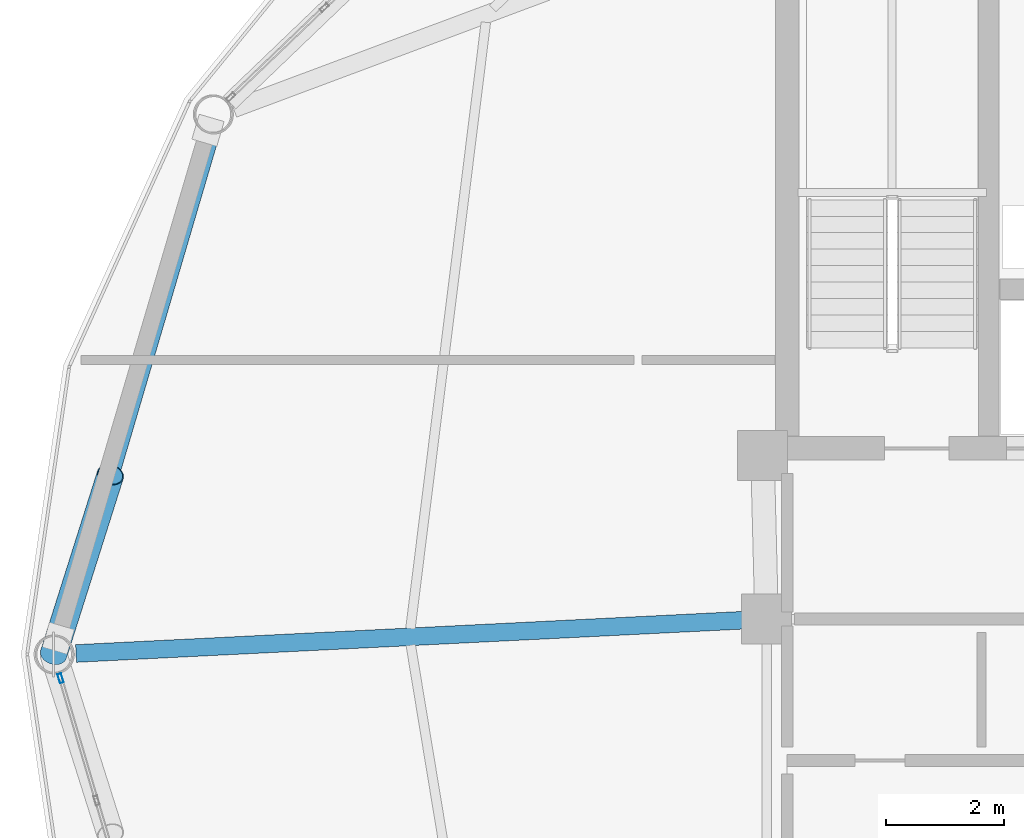
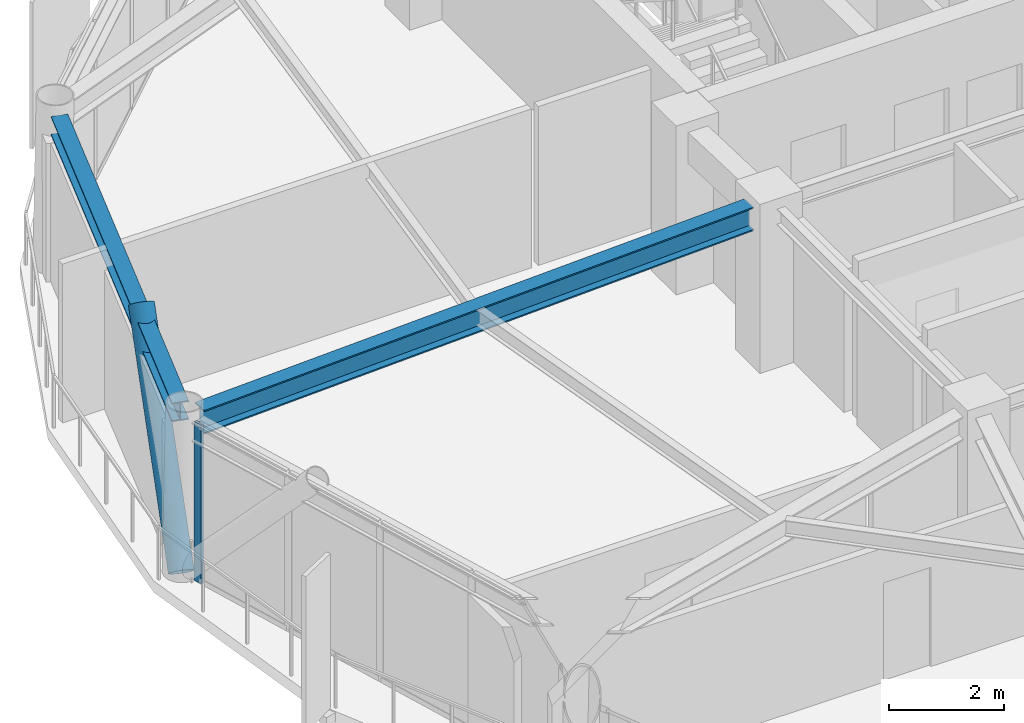
# One storey, part 11 of 28: 2 beams, 2 members, 1 element without a shape of its own.
"""IFC4 building model written with IfcOpenShell, lengths in metres."""

from ifc_helpers import new_model, si_unit, direction, frame, origin, origin_2d, place, context, subcontext, project, spatial, hollow_rectangle, hollow_circle, i_section, extrude, material, layer, layer_set, material_profile, profile_set, type_object, element, aggregate, save


model = new_model("IFC4")

# Units and contexts
model_context = context("Model", 3, precision=1e-05, world=origin(), true_north=direction((0.0, 1.0)))
body_context = subcontext(model_context, "Body", "Model", "MODEL_VIEW")
ifc_project = project(units=[si_unit("LENGTHUNIT", "METRE"), si_unit("AREAUNIT", "SQUARE_METRE"), si_unit("VOLUMEUNIT", "CUBIC_METRE"), si_unit("PLANEANGLEUNIT", "RADIAN"), si_unit("MASSUNIT", "GRAM", prefix="KILO")], contexts=[model_context])

# Site, building, storey
site_placement = place(None, origin())
site = spatial("IfcSite", under=ifc_project, at=site_placement, CompositionType="ELEMENT")
building_placement = place(site_placement, origin())
building = spatial("IfcBuilding", under=site, at=building_placement, Name="Varnakorn Sky Granary", CompositionType="ELEMENT")
storey_placement = place(building_placement, frame((0.0, 0.0, 204.0)))
storey = spatial("IfcBuildingStorey", under=building, at=storey_placement, Name="L51", CompositionType="ELEMENT", Elevation=204.0)

# Beams
ifc_material_1 = material(Name="Steel S355JR", Category="steel")
ifc_material_profile_1 = material_profile(ifc_material_1, i_section(OverallWidth=0.300048828125, OverallDepth=0.5, WebThickness=0.014404296875, FlangeThickness=0.028076171875, at=origin_2d()), Name="HE 500 B")
ifc_profile_set_1 = profile_set([ifc_material_profile_1], Name="Steel S355JR")
beam_type_1 = type_object("IfcBeamType", Name="BM-RAD-Z4", PredefinedType="BEAM", material=ifc_profile_set_1)
beam_1_placement = place(storey_placement, frame((-2.75439453125, 0.579833984375, 3.110107421875), z_axis=(-0.998760436202, -0.049775406354, 0.0), x_axis=(0.049775406354, -0.998760436202, 0.0)))
element("IfcBeam", 1, at=beam_1_placement, inside=storey, type_object=beam_type_1, Name="Radial Floor Girder RG07 L51", PredefinedType="BEAM", context=body_context, shape_type="SweptSolid", body=[
    extrude(i_section(OverallWidth=0.300048828125, OverallDepth=0.5, WebThickness=0.014404296875, FlangeThickness=0.028076171875, at=origin_2d()), origin(), (0.0, 0.0, 1.0), 11.335205078125),
])
ifc_material_profile_2 = material_profile(ifc_material_1, i_section(OverallWidth=0.300048828125, OverallDepth=0.39990234375, WebThickness=0.013427734375, FlangeThickness=0.02392578125, at=origin_2d()), Name="HE 400 B")
ifc_profile_set_2 = profile_set([ifc_material_profile_2], Name="Steel S355JR")
beam_type_2 = type_object("IfcBeamType", Name="BM-SPD-Z4", PredefinedType="SPANDREL", material=ifc_profile_set_2)
beam_2_placement = place(storey_placement, frame((-11.7841796875, 8.852783203125, 3.159912109375), z_axis=(-0.28237096291, -0.959305289939, 0.0), x_axis=(0.959305289939, -0.28237096291, 0.0)))
element("IfcBeam", 2, at=beam_2_placement, inside=storey, type_object=beam_type_2, Name="Perimeter Spandrel Ring Beam RB06 L51", PredefinedType="SPANDREL", context=body_context, shape_type="SweptSolid", body=[
    extrude(i_section(OverallWidth=0.300048828125, OverallDepth=0.39990234375, WebThickness=0.013427734375, FlangeThickness=0.02392578125, at=origin_2d()), origin(), (0.0, 0.0, 1.0), 8.913330078125),
])

# Curtain wall, member
ifc_material_2 = material(Name="Anodised Bronze Aluminium Alloy 6063-T6", Category="aluminium")
ifc_layer = layer(ifc_material_2, 0.169921875, Name="Anodised Bronze Aluminium Alloy 6063-T6")
ifc_layer_set = layer_set([ifc_layer], Name="Anodised Bronze Aluminium Alloy 6063-T6")
curtain_wall_type = type_object("IfcCurtainWallType", Name="CW-LAB-1", PredefinedType="USERDEFINED", material=ifc_layer_set)
curtain_wall_placement = place(storey_placement, origin())
curtain_wall = element("IfcCurtainWall", 3, at=curtain_wall_placement, inside=storey, type_object=curtain_wall_type, Name="Unitised Curtain Wall CW5 CW-L51-B07", ObjectType="CURTAIN WALL", PredefinedType="USERDEFINED")
ifc_material_profile_3 = material_profile(ifc_material_2, hollow_rectangle(XDim=0.06494140625, YDim=0.159912109375, WallThickness=0.00341796875, at=origin_2d()), Name="ALU MULL 65x160")
ifc_profile_set_3 = profile_set([ifc_material_profile_3], Name="Anodised Bronze Aluminium Alloy 6063-T6")
member_type_1 = type_object("IfcMemberType", Name="CW-LAB-1-MULL", PredefinedType="MULLION", material=ifc_profile_set_3)
member_1_placement = place(storey_placement, frame((-14.338623046875, -0.4052734375, 0.0), z_axis=(0.0, 0.0, 1.0), x_axis=(-0.959195433293, -0.282743913729, 0.0)))
member_1 = element("IfcMember", 4, at=member_1_placement, type_object=member_type_1, Name="CW5 mullion 5", PredefinedType="MULLION", context=body_context, shape_type="SweptSolid", body=[
    extrude(hollow_rectangle(XDim=0.06494140625, YDim=0.159912109375, WallThickness=0.00341796875, at=origin_2d()), origin(), (0.0, 0.0, 1.0), 3.360107421875),
])
aggregate(curtain_wall, [member_1])

# Member
ifc_material_3 = material(Name="Steel S460M", Category="steel")
ifc_material_profile_4 = material_profile(ifc_material_3, hollow_circle(Radius=0.228515625, WallThickness=0.01611328125, at=origin_2d()), Name="CHS 457x16")
ifc_profile_set_4 = profile_set([ifc_material_profile_4], Name="Steel S460M")
member_type_2 = type_object("IfcMemberType", Name="MB-DIAG-T3", PredefinedType="BRACE", material=ifc_profile_set_4)
member_2_placement = place(storey_placement, frame((-14.4580078125, 0.0, 0.0), z_axis=(0.204046972169, 0.64441312585, 0.736950850722), x_axis=(-0.953349541866, 0.301868598936, 0.0)))
element("IfcMember", 5, at=member_2_placement, inside=storey, type_object=member_type_2, Name="Perimeter CHS Diagrid Brace DG06 L51", PredefinedType="BRACE", context=body_context, shape_type="SweptSolid", body=[
    extrude(hollow_circle(Radius=0.228515625, WallThickness=0.01611328125, at=origin_2d()), origin(), (0.0, 0.0, 1.0), 4.735595703125),
])

save(model, "model.ifc")
